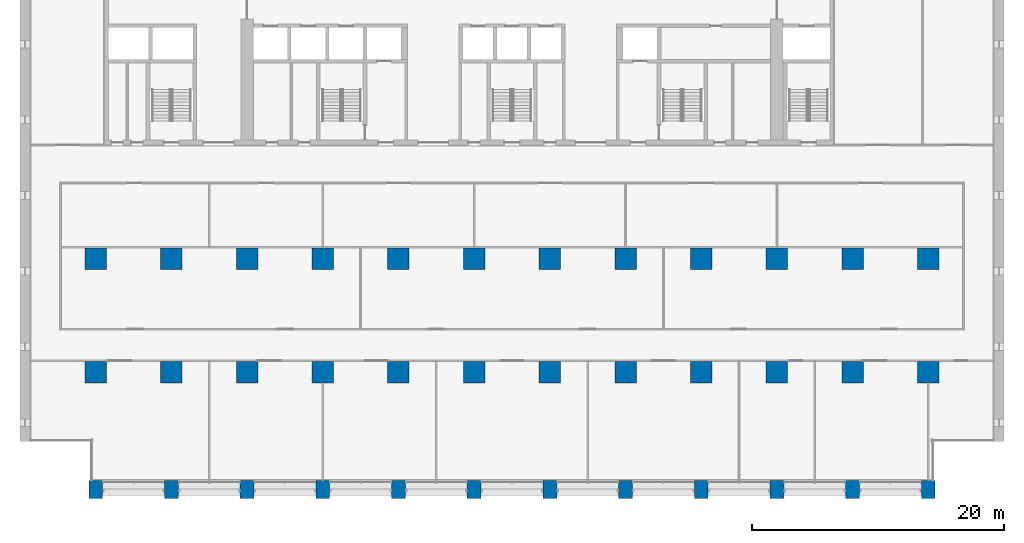
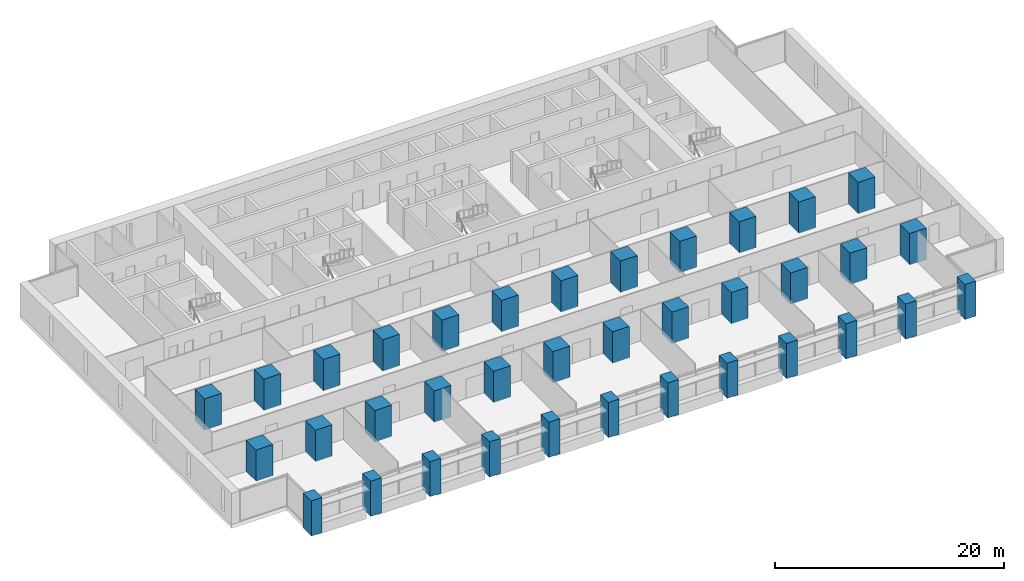
# One storey, part 1 of 18: 36 columns.
"""IFC4 building model written with IfcOpenShell, lengths in metres."""

import ifcopenshell
import ifcopenshell.guid

model = None  # the IFC model being written
_history = None  # IfcOwnerHistory: only IFC2X3 demands one
_inside = {}  # id of a spatial element -> (the spatial element, [elements in it])
_under = {}  # id of a project, library or spatial element -> (it, [spatial elements below it])
_declared = {}  # id of a project -> (the project, [libraries it declares])
_typed = {}  # id of a type object -> (the type object, [elements of that type])
_made_of = {}  # id of a material, layer set ... -> (it, [elements and type objects made of it])


def new_model(schema):
    """Start an empty IFC model of exactly this schema.

    Asked for "IFC4X3", IfcOpenShell would pick the latest addendum, in which some entities
    have other attributes; the version numbers below select the first issue.
    IFC2X3 requires an IfcOwnerHistory on every rooted entity: one is made here for all.
    """
    global model, _history
    if schema == "IFC4X3":
        model = ifcopenshell.file(schema_version=(4, 3, 0, 0))
    else:
        model = ifcopenshell.file(schema=schema)
    _inside.clear()
    _under.clear()
    _declared.clear()
    _typed.clear()
    _made_of.clear()
    _history = None
    if model.schema == "IFC2X3":
        org = make("IfcOrganization", Name="unknown")
        user = make(
            "IfcPersonAndOrganization",
            ThePerson=make("IfcPerson", FamilyName="unknown"),
            TheOrganization=org,
        )
        app = make(
            "IfcApplication",
            ApplicationDeveloper=org,
            Version="unknown",
            ApplicationFullName="unknown",
            ApplicationIdentifier="unknown",
        )
        _history = make(
            "IfcOwnerHistory",
            OwningUser=user,
            OwningApplication=app,
            ChangeAction="ADDED",
            CreationDate=0,
        )
    return model


def make(cls, **values):
    """One entity of the class cls with the attributes given. An attribute that is None is left unset."""
    return model.create_entity(
        cls, **{name: value for name, value in values.items() if value is not None}
    )


def rooted(cls, **values):
    """An entity with a GlobalId (a new one), such as an element, a storey or a relation."""
    return make(cls, GlobalId=ifcopenshell.guid.new(), OwnerHistory=_history, **values)


def si_unit(unit_type, name, prefix=None):
    """IfcSIUnit, for example si_unit("LENGTHUNIT", "METRE", prefix="MILLI")."""
    return make("IfcSIUnit", UnitType=unit_type, Prefix=prefix, Name=name)


def assignment(units):
    """IfcUnitAssignment: the units of a project."""
    return None if units is None else make("IfcUnitAssignment", Units=units)


def point(xyz):
    """IfcCartesianPoint."""
    return None if xyz is None else make("IfcCartesianPoint", Coordinates=xyz)


def direction(xyz):
    """IfcDirection."""
    return None if xyz is None else make("IfcDirection", DirectionRatios=xyz)


def frame(location, z_axis=None, x_axis=None):
    """IfcAxis2Placement3D, a coordinate frame: its origin and axes. An axis left out is left unset."""
    return make(
        "IfcAxis2Placement3D",
        Location=point(location),
        Axis=direction(z_axis),
        RefDirection=direction(x_axis),
    )


def frame_2d(location, x_axis=None):
    """IfcAxis2Placement2D, a coordinate frame in the plane: its origin and x axis."""
    return make(
        "IfcAxis2Placement2D", Location=point(location), RefDirection=direction(x_axis)
    )


def origin():
    """The frame at (0, 0, 0) with its axes left unset."""
    return frame((0.0, 0.0, 0.0))


def origin_2d():
    """The frame at (0, 0) in the plane with its x axis left unset."""
    return frame_2d((0.0, 0.0))


def place(relative_to, where):
    """IfcLocalPlacement: puts the frame where relative to a parent placement (None: the world)."""
    return make(
        "IfcLocalPlacement", PlacementRelTo=relative_to, RelativePlacement=where
    )


def context(
    kind, dimensions, precision=None, world=None, true_north=None, identifier=None
):
    """IfcGeometricRepresentationContext, for example the 3D "Model" context."""
    return make(
        "IfcGeometricRepresentationContext",
        ContextIdentifier=identifier,
        ContextType=kind,
        CoordinateSpaceDimension=dimensions,
        Precision=precision,
        WorldCoordinateSystem=world,
        TrueNorth=true_north,
    )


def subcontext(parent, identifier, kind, view, scale=None):
    """IfcGeometricRepresentationSubContext, for example "Body" below "Model"."""
    return make(
        "IfcGeometricRepresentationSubContext",
        ContextIdentifier=identifier,
        ContextType=kind,
        ParentContext=parent,
        TargetScale=scale,
        TargetView=view,
    )


def project(units=None, contexts=None):
    """IfcProject with its units and contexts."""
    return rooted(
        "IfcProject",
        Name="project",
        RepresentationContexts=contexts,
        UnitsInContext=assignment(units),
    )


def spatial(cls, under=None, at=None, **own):
    """A site, building, storey or space (cls), placed at a placement, below another one or the project."""
    s = rooted(cls, ObjectPlacement=at, **own)
    if under is not None:
        _under.setdefault(under.id(), (under, []))[1].append(s)
    return s


def profile(cls, at=None, kind="AREA", **sizes):
    """A parametric profile (cls). Its sizes go by their IFC names, for example OverallWidth=200.0."""
    return make(cls, ProfileType=kind, Position=at, **sizes)


def rectangle(**sizes):
    """IfcRectangleProfileDef."""
    return profile("IfcRectangleProfileDef", **sizes)


def extrude(swept, where, along, depth):
    """IfcExtrudedAreaSolid: the profile swept, set in the frame where, extruded along a direction by depth."""
    return make(
        "IfcExtrudedAreaSolid",
        SweptArea=swept,
        Position=where,
        ExtrudedDirection=direction(along),
        Depth=depth,
    )


def shape(context_of_items, identifier, shape_type, items):
    """IfcShapeRepresentation: the items that make up one representation, for example the "Body"."""
    return make(
        "IfcShapeRepresentation",
        ContextOfItems=context_of_items,
        RepresentationIdentifier=identifier,
        RepresentationType=shape_type,
        Items=items,
    )


def material(Name=None, Category=None):
    """IfcMaterial."""
    return make("IfcMaterial", Name=Name, Category=Category)


def material_profile(
    of_material, cross_section, Name=None, Category=None, Priority=None
):
    """IfcMaterialProfile: a cross section and its material."""
    return make(
        "IfcMaterialProfile",
        Name=Name,
        Material=of_material,
        Profile=cross_section,
        Priority=Priority,
        Category=Category,
    )


def profile_set(profiles, Name=None, composite=None):
    """IfcMaterialProfileSet."""
    return make(
        "IfcMaterialProfileSet",
        Name=Name,
        MaterialProfiles=profiles,
        CompositeProfile=composite,
    )


def made_of(thing, what):
    """Note that an element or type object is made of a material, layer set ...; save() writes the relation."""
    if what is not None:
        _made_of.setdefault(what.id(), (what, []))[1].append(thing)
    return thing


def type_object(cls, material=None, **own):
    """A type object (cls), such as IfcWallType, which elements share."""
    return made_of(rooted(cls, **own), material)


def element(
    cls,
    number,
    at=None,
    inside=None,
    cuts=None,
    type_object=None,
    material=None,
    context=None,
    identifier="Body",
    shape_type=None,
    held_by="IfcProductDefinitionShape",
    body=None,
    shapes=None,
    **own,
):
    """One element of the class cls, such as IfcWall. Its Tag is "e" and its number.

    at: its placement. inside: the storey or other place that contains it. cuts: it is an
    opening in that element (IfcRelVoidsElement). A single representation is given by context,
    identifier, shape_type and body (its items); several are given by shapes. held_by: the class
    of the entity that holds the representations. save() writes the other relations.
    """
    e = rooted(cls, Tag="e%d" % number, ObjectPlacement=at, **own)
    if body is not None:
        shapes = [shape(context, identifier, shape_type, body)]
    if shapes is not None:
        e.Representation = make(held_by, Representations=shapes)
    if inside is not None:
        _inside.setdefault(inside.id(), (inside, []))[1].append(e)
    if cuts is not None:
        rooted(
            "IfcRelVoidsElement", RelatingBuildingElement=cuts, RelatedOpeningElement=e
        )
    if type_object is not None:
        _typed.setdefault(type_object.id(), (type_object, []))[1].append(e)
    return made_of(e, material)


def aggregate(whole, parts):
    """IfcRelAggregates: a whole, such as a stair, and the parts it consists of."""
    return rooted("IfcRelAggregates", RelatingObject=whole, RelatedObjects=parts)


def save(model, path):
    """Write the relations noted so far, then the file.

    IfcRelAggregates (storeys below a building ...), IfcRelContainedInSpatialStructure (elements
    in a storey), IfcRelDefinesByType, IfcRelAssociatesMaterial and IfcRelDeclares: one each for
    every whole, place, type object, material and project.
    """
    for whole, parts in _under.values():
        aggregate(whole, parts)
    for where, things in _inside.values():
        rooted(
            "IfcRelContainedInSpatialStructure",
            RelatedElements=things,
            RelatingStructure=where,
        )
    for kind, things in _typed.values():
        rooted("IfcRelDefinesByType", RelatedObjects=things, RelatingType=kind)
    for what, things in _made_of.values():
        rooted("IfcRelAssociatesMaterial", RelatedObjects=things, RelatingMaterial=what)
    for by, libraries in _declared.values():
        rooted("IfcRelDeclares", RelatingContext=by, RelatedDefinitions=libraries)
    model.write(path)


model = new_model("IFC4")

# Units and contexts
model_context = context("Model", 3, precision=1e-05, world=origin(), true_north=direction((0.0, 1.0)))
body_context = subcontext(model_context, "Body", "Model", "MODEL_VIEW")
ifc_project = project(units=[si_unit("LENGTHUNIT", "METRE"), si_unit("AREAUNIT", "SQUARE_METRE"), si_unit("VOLUMEUNIT", "CUBIC_METRE"), si_unit("PLANEANGLEUNIT", "RADIAN"), si_unit("MASSUNIT", "GRAM", prefix="KILO")], contexts=[model_context])

# Site, building, storey
site_placement = place(None, origin())
site = spatial("IfcSite", under=ifc_project, at=site_placement, CompositionType="ELEMENT")
building_placement = place(site_placement, origin())
building = spatial("IfcBuilding", under=site, at=building_placement, Name="Calvaro Tower", CompositionType="ELEMENT")
storey_placement = place(building_placement, frame((0.0, 0.0, 45.0)))
storey = spatial("IfcBuildingStorey", under=building, at=storey_placement, Name="L10", CompositionType="ELEMENT", Elevation=45.0)

# Columns
ifc_material_1 = material(Name="Concrete C80/95", Category="concrete")
ifc_material_profile_1 = material_profile(ifc_material_1, rectangle(XDim=1.699951171875, YDim=1.699951171875, at=origin_2d()), Name="RC 1700x1700")
ifc_profile_set_1 = profile_set([ifc_material_profile_1], Name="Concrete C80/95")
column_type_1 = type_object("IfcColumnType", Name="Column 1700x1700 C80/95", PredefinedType="COLUMN", material=ifc_profile_set_1)
for number, where, z_axis, x_axis, name in (
    (1, (6.0, 10.0, 0.0), (0.0, 0.0, 1.0), (1.0, 0.0, 0.0), "Column 2B"),
    (2, (6.0, 19.0, 0.0), (0.0, 0.0, 1.0), (1.0, 0.0, 0.0), "Column 2C"),
    (3, (12.0, 10.0, 0.0), (0.0, 0.0, 1.0), (1.0, 0.0, 0.0), "Column 3B"),
    (4, (12.0, 19.0, 0.0), (0.0, 0.0, 1.0), (1.0, 0.0, 0.0), "Column 3C"),
    (5, (18.0, 10.0, 0.0), (0.0, 0.0, 1.0), (1.0, 0.0, 0.0), "Column 4B"),
    (6, (18.0, 19.0, 0.0), (0.0, 0.0, 1.0), (1.0, 0.0, 0.0), "Column 4C"),
    (7, (24.0, 10.0, 0.0), (0.0, 0.0, 1.0), (1.0, 0.0, 0.0), "Column 5B"),
    (8, (24.0, 19.0, 0.0), (0.0, 0.0, 1.0), (1.0, 0.0, 0.0), "Column 5C"),
    (9, (30.0, 10.0, 0.0), (0.0, 0.0, 1.0), (1.0, 0.0, 0.0), "Column 6B"),
    (10, (30.0, 19.0, 0.0), (0.0, 0.0, 1.0), (1.0, 0.0, 0.0), "Column 6C"),
    (11, (36.0, 10.0, 0.0), (0.0, 0.0, 1.0), (1.0, 0.0, 0.0), "Column 7B"),
    (12, (36.0, 19.0, 0.0), (0.0, 0.0, 1.0), (1.0, 0.0, 0.0), "Column 7C"),
    (13, (42.0, 10.0, 0.0), (0.0, 0.0, 1.0), (1.0, 0.0, 0.0), "Column 8B"),
    (14, (42.0, 19.0, 0.0), (0.0, 0.0, 1.0), (1.0, 0.0, 0.0), "Column 8C"),
    (15, (48.0, 10.0, 0.0), (0.0, 0.0, 1.0), (1.0, 0.0, 0.0), "Column 9B"),
    (16, (48.0, 19.0, 0.0), (0.0, 0.0, 1.0), (1.0, 0.0, 0.0), "Column 9C"),
    (17, (54.0, 10.0, 0.0), (0.0, 0.0, 1.0), (1.0, 0.0, 0.0), "Column 10B"),
    (18, (54.0, 19.0, 0.0), (0.0, 0.0, 1.0), (1.0, 0.0, 0.0), "Column 10C"),
    (19, (60.0, 10.0, 0.0), (0.0, 0.0, 1.0), (1.0, 0.0, 0.0), "Column 11B"),
    (20, (60.0, 19.0, 0.0), (0.0, 0.0, 1.0), (1.0, 0.0, 0.0), "Column 11C"),
    (21, (66.0, 10.0, 0.0), (0.0, 0.0, 1.0), (1.0, 0.0, 0.0), "Column 12B"),
    (22, (66.0, 19.0, 0.0), (0.0, 0.0, 1.0), (1.0, 0.0, 0.0), "Column 12C"),
    (23, (72.0, 10.0, 0.0), (0.0, 0.0, 1.0), (1.0, 0.0, 0.0), "Column 13B"),
    (24, (72.0, 19.0, 0.0), (0.0, 0.0, 1.0), (1.0, 0.0, 0.0), "Column 13C"),
):
    element("IfcColumn", number, at=place(storey_placement, frame(where, z_axis=z_axis, x_axis=x_axis)), inside=storey, type_object=column_type_1, Name=name, PredefinedType="COLUMN", context=body_context, shape_type="SweptSolid", body=[
        extrude(rectangle(XDim=1.699951171875, YDim=1.699951171875, at=origin_2d()), origin(), (0.0, 0.0, 1.0), 3.35009765625),
    ])
ifc_material_2 = material(Name="Concrete C80/95", Category="concrete")
ifc_material_profile_2 = material_profile(ifc_material_2, rectangle(XDim=1.10009765625, YDim=1.39990234375, at=origin_2d()), Name="RC 1100x1400")
ifc_profile_set_2 = profile_set([ifc_material_profile_2], Name="Concrete C80/95")
column_type_2 = type_object("IfcColumnType", Name="Pier 1100x1400 C80/95", PredefinedType="COLUMN", material=ifc_profile_set_2)
for number, where, z_axis, x_axis, name in (
    (25, (6.0, 0.699951171875, -0.39990234375), (0.0, 0.0, 1.0), (1.0, 0.0, 0.0), "South pier 2"),
    (26, (12.0, 0.699951171875, -0.39990234375), (0.0, 0.0, 1.0), (1.0, 0.0, 0.0), "South pier 3"),
    (27, (18.0, 0.699951171875, -0.39990234375), (0.0, 0.0, 1.0), (1.0, 0.0, 0.0), "South pier 4"),
    (28, (24.0, 0.699951171875, -0.39990234375), (0.0, 0.0, 1.0), (1.0, 0.0, 0.0), "South pier 5"),
    (29, (30.0, 0.699951171875, -0.39990234375), (0.0, 0.0, 1.0), (1.0, 0.0, 0.0), "South pier 6"),
    (30, (36.0, 0.699951171875, -0.39990234375), (0.0, 0.0, 1.0), (1.0, 0.0, 0.0), "South pier 7"),
    (31, (42.0, 0.699951171875, -0.39990234375), (0.0, 0.0, 1.0), (1.0, 0.0, 0.0), "South pier 8"),
    (32, (48.0, 0.699951171875, -0.39990234375), (0.0, 0.0, 1.0), (1.0, 0.0, 0.0), "South pier 9"),
    (33, (54.0, 0.699951171875, -0.39990234375), (0.0, 0.0, 1.0), (1.0, 0.0, 0.0), "South pier 10"),
    (34, (60.0, 0.699951171875, -0.39990234375), (0.0, 0.0, 1.0), (1.0, 0.0, 0.0), "South pier 11"),
    (35, (66.0, 0.699951171875, -0.39990234375), (0.0, 0.0, 1.0), (1.0, 0.0, 0.0), "South pier 12"),
    (36, (72.0, 0.699951171875, -0.39990234375), (0.0, 0.0, 1.0), (1.0, 0.0, 0.0), "South pier 13"),
):
    element("IfcColumn", number, at=place(storey_placement, frame(where, z_axis=z_axis, x_axis=x_axis)), inside=storey, type_object=column_type_2, Name=name, PredefinedType="COLUMN", context=body_context, shape_type="SweptSolid", body=[
        extrude(rectangle(XDim=1.10009765625, YDim=1.39990234375, at=origin_2d()), origin(), (0.0, 0.0, 1.0), 3.75),
    ])

save(model, "model.ifc")
